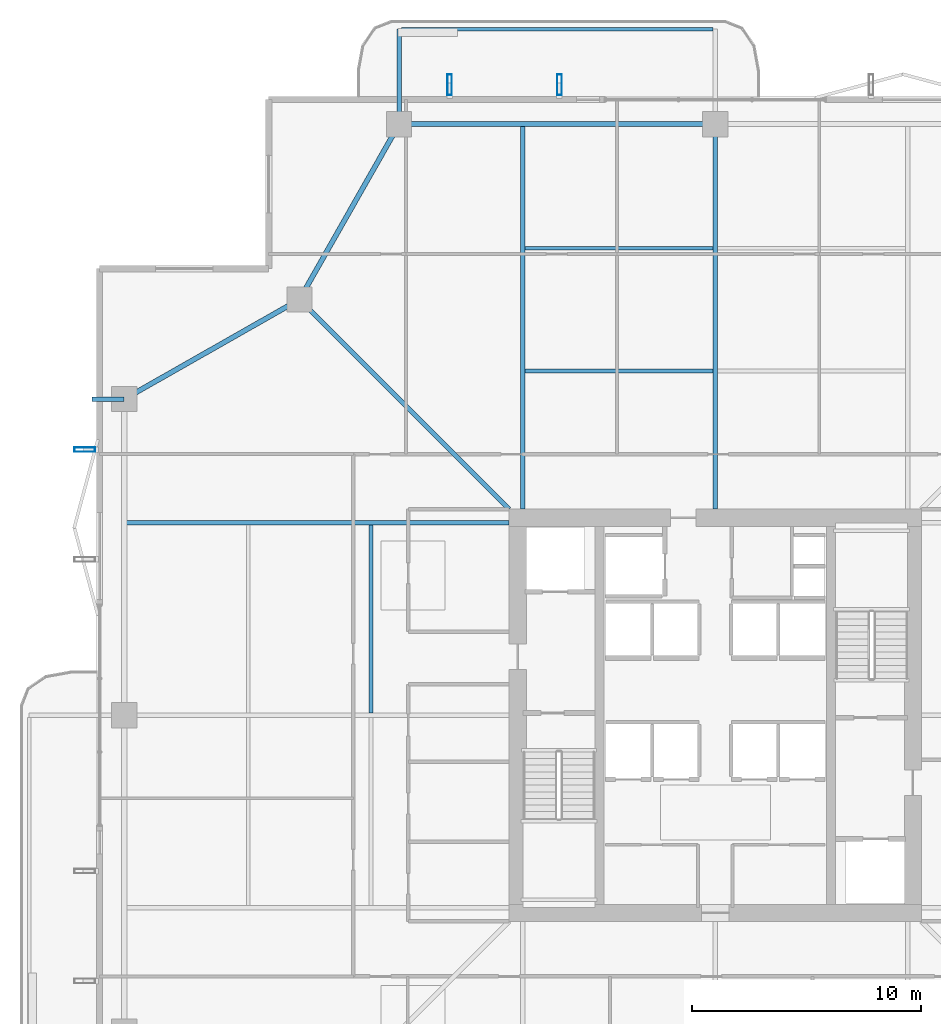
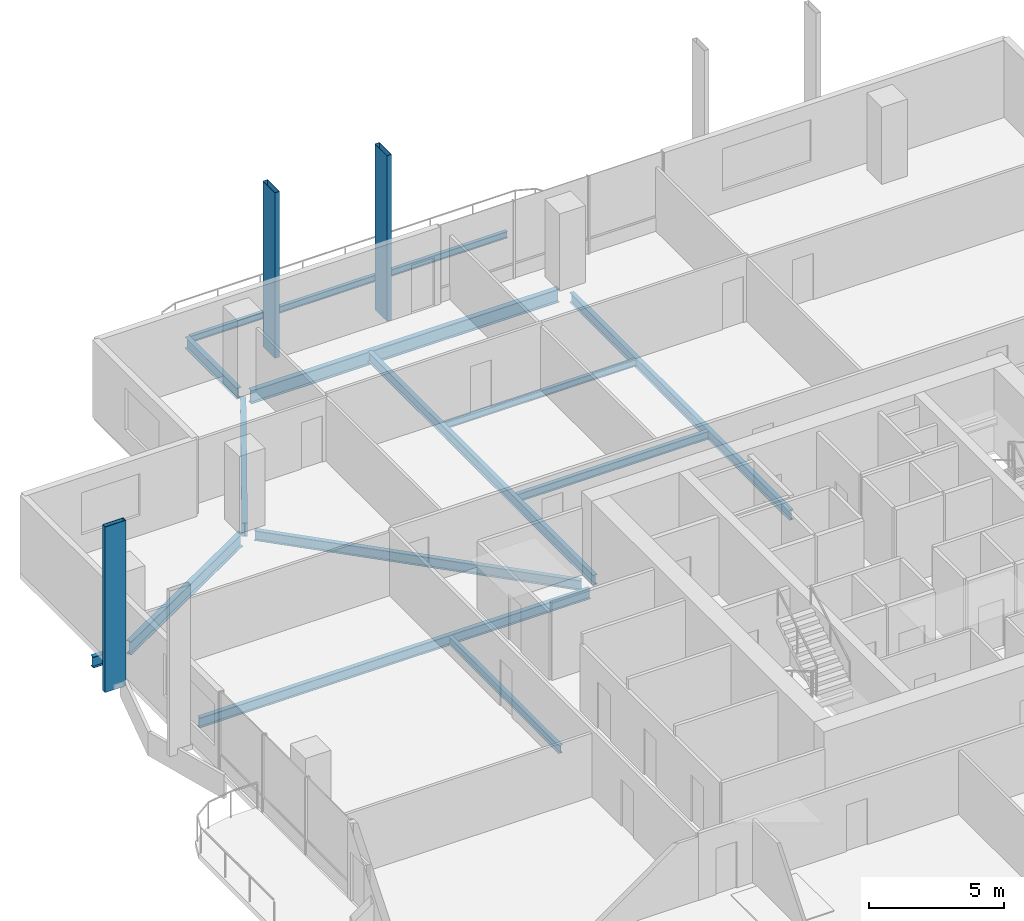
# One storey, part 10 of 24: 13 beams, 3 members.
"""IFC4 building model written with IfcOpenShell, lengths in metres."""

from ifc_helpers import new_model, si_unit, direction, frame, origin, origin_2d, place, context, subcontext, project, spatial, hollow_rectangle, i_section, extrude, material, material_profile, profile_set, type_object, element, save


model = new_model("IFC4")

# Units and contexts
model_context = context("Model", 3, precision=1e-05, world=origin(), true_north=direction((0.0, 1.0)))
body_context = subcontext(model_context, "Body", "Model", "MODEL_VIEW")
ifc_project = project(units=[si_unit("LENGTHUNIT", "METRE"), si_unit("AREAUNIT", "SQUARE_METRE"), si_unit("VOLUMEUNIT", "CUBIC_METRE"), si_unit("PLANEANGLEUNIT", "RADIAN"), si_unit("MASSUNIT", "GRAM", prefix="KILO")], contexts=[model_context])

# Site, building, storey
site_placement = place(None, origin())
site = spatial("IfcSite", under=ifc_project, at=site_placement, CompositionType="ELEMENT")
building_placement = place(site_placement, origin())
building = spatial("IfcBuilding", under=site, at=building_placement, Name="Belovzor Exchange Tower", CompositionType="ELEMENT")
storey_placement = place(building_placement, frame((0.0, 0.0, 203.699951171875)))
storey = spatial("IfcBuildingStorey", under=building, at=storey_placement, Name="L50", CompositionType="ELEMENT", Elevation=203.699951171875)

# Beams
ifc_material_1 = material(Name="Steel S355", Category="steel")
ifc_material_profile_1 = material_profile(ifc_material_1, i_section(OverallWidth=0.199951171875, OverallDepth=0.5, WebThickness=0.01025390625, FlangeThickness=0.01611328125, at=origin_2d()))
ifc_profile_set_1 = profile_set([ifc_material_profile_1], Name="Steel S355")
beam_type_1 = type_object("IfcBeamType", Name="Planted Balcony Cantilever Beam IPE 500", PredefinedType="BEAM", material=ifc_profile_set_1)
beam_1_placement = place(storey_placement, frame((15.0, 54.903076171875, -0.5), z_axis=(0.0, 1.0, 0.0), x_axis=(-1.0, 0.0, 0.0)))
element("IfcBeam", 1, at=beam_1_placement, inside=storey, type_object=beam_type_1, Name="BC-500 Planted Balcony Cantilever Beam IPE 500", PredefinedType="BEAM", context=body_context, shape_type="SweptSolid", body=[
    extrude(i_section(OverallWidth=0.199951171875, OverallDepth=0.5, WebThickness=0.01025390625, FlangeThickness=0.01611328125, at=origin_2d()), origin(), (0.0, 0.0, 1.0), 3.849853515625),
])
beam_2_placement = place(storey_placement, frame((3.0, 42.60009765625, -0.5), z_axis=(-1.0, 0.0, 0.0), x_axis=(0.0, -1.0, 0.0)))
element("IfcBeam", 2, at=beam_2_placement, inside=storey, type_object=beam_type_1, Name="BC-500 Planted Balcony Cantilever Beam IPE 500", PredefinedType="BEAM", context=body_context, shape_type="SweptSolid", body=[
    extrude(i_section(OverallWidth=0.199951171875, OverallDepth=0.5, WebThickness=0.01025390625, FlangeThickness=0.01611328125, at=origin_2d()), origin(), (0.0, 0.0, 1.0), 1.39990234375),
])
ifc_material_2 = material(Name="Steel S355", Category="steel")
ifc_material_profile_2 = material_profile(ifc_material_2, i_section(OverallWidth=0.14990234375, OverallDepth=0.300048828125, WebThickness=0.007080078125, FlangeThickness=0.0107421875, at=origin_2d()))
ifc_profile_set_2 = profile_set([ifc_material_profile_2], Name="Steel S355")
beam_type_2 = type_object("IfcBeamType", Name="Planted Balcony Fascia Edge Beam IPE 300", PredefinedType="BEAM", material=ifc_profile_set_2)
beam_3_placement = place(storey_placement, frame((28.699951171875, 58.7529296875, -0.39990234375), z_axis=(-1.0, 0.0, 0.0), x_axis=(0.0, -1.0, 0.0)))
element("IfcBeam", 3, at=beam_3_placement, inside=storey, type_object=beam_type_2, Name="BC-300 Planted Balcony Fascia Edge Beam IPE 300", PredefinedType="BEAM", context=body_context, shape_type="SweptSolid", body=[
    extrude(i_section(OverallWidth=0.14990234375, OverallDepth=0.300048828125, WebThickness=0.007080078125, FlangeThickness=0.0107421875, at=origin_2d()), origin(), (0.0, 0.0, 1.0), 13.599853515625),
])
ifc_material_3 = material(Name="Steel S355", Category="steel")
ifc_material_profile_3 = material_profile(ifc_material_3, i_section(OverallWidth=0.169921875, OverallDepth=0.360107421875, WebThickness=0.008056640625, FlangeThickness=0.0126953125, at=origin_2d()))
ifc_profile_set_3 = profile_set([ifc_material_profile_3], Name="Steel S355")
beam_type_3 = type_object("IfcBeamType", Name="Secondary Infill Floor Joist IPE 360", PredefinedType="BEAM", material=ifc_profile_set_3)
for number, where, z_axis, x_axis, name in (
    (4, (20.4951171875, 43.827880859375, -0.429931640625), (1.0, 0.0, 0.0), (0.0, 1.0, 0.0), "FJ-360 Secondary Infill Floor Joist IPE 360"),
    (5, (13.77197265625, 28.89501953125, -0.429931640625), (0.0, 1.0, 0.0), (-1.0, 0.0, 0.0), "FJ-360 Secondary Infill Floor Joist IPE 360"),
):
    element("IfcBeam", number, at=place(storey_placement, frame(where, z_axis=z_axis, x_axis=x_axis)), inside=storey, type_object=beam_type_3, Name=name, PredefinedType="BEAM", context=body_context, shape_type="SweptSolid", body=[
        extrude(i_section(OverallWidth=0.169921875, OverallDepth=0.360107421875, WebThickness=0.008056640625, FlangeThickness=0.0126953125, at=origin_2d()), origin(), (0.0, 0.0, 1.0), 8.2099609375),
    ])
ifc_material_4 = material(Name="Steel S355", Category="steel")
ifc_material_profile_4 = material_profile(ifc_material_4, i_section(OverallWidth=0.14990234375, OverallDepth=0.300048828125, WebThickness=0.007080078125, FlangeThickness=0.0107421875, at=origin_2d()))
ifc_profile_set_4 = profile_set([ifc_material_profile_4], Name="Steel S355")
beam_type_4 = type_object("IfcBeamType", Name="Secondary Trim Floor Joist IPE 300", PredefinedType="BEAM", material=ifc_profile_set_4)
beam_4_placement = place(storey_placement, frame((20.4951171875, 49.18701171875, -0.39990234375), z_axis=(1.0, 0.0, 0.0), x_axis=(0.0, 1.0, 0.0)))
element("IfcBeam", 6, at=beam_4_placement, inside=storey, type_object=beam_type_4, Name="FJ-300 Secondary Trim Floor Joist IPE 300", PredefinedType="BEAM", context=body_context, shape_type="SweptSolid", body=[
    extrude(i_section(OverallWidth=0.14990234375, OverallDepth=0.300048828125, WebThickness=0.007080078125, FlangeThickness=0.0107421875, at=origin_2d()), origin(), (0.0, 0.0, 1.0), 8.2099609375),
])

# Members
ifc_material_5 = material(Name="Extruded Architectural Terracotta on Steel S355 Carrier", Category="masonry")
ifc_material_profile_5 = material_profile(ifc_material_5, hollow_rectangle(XDim=0.199951171875, YDim=0.89990234375, WallThickness=0.011962890625, at=origin_2d()))
ifc_profile_set_5 = profile_set([ifc_material_profile_5], Name="Extruded Architectural Terracotta on Steel S355 Carrier")
member_type = type_object("IfcMemberType", Name="Sweeping Terracotta Baguette Fin Assembly 950", PredefinedType="USERDEFINED", material=ifc_profile_set_5)
for number, where, z_axis, x_axis, name in (
    (7, (17.199951171875, 56.324951171875, -0.25), (0.0, 0.0, 1.0), (1.0, 0.0, 0.0), "FIN-TC095 Terracotta Facade Fin L50 N1"),
    (8, (22.0, 56.324951171875, -0.25), (0.0, 0.0, 1.0), (1.0, 0.0, 0.0), "FIN-TC095 Terracotta Facade Fin L50 N2"),
    (9, (1.27490234375, 40.39990234375, -0.25), (0.0, 0.0, 1.0), (0.0, 1.0, 0.0), "FIN-TC095 Terracotta Facade Fin L50 W4"),
):
    element("IfcMember", number, at=place(storey_placement, frame(where, z_axis=z_axis, x_axis=x_axis)), inside=storey, type_object=member_type, Name=name, ObjectType="FIN", PredefinedType="USERDEFINED", context=body_context, shape_type="SweptSolid", body=[
        extrude(hollow_rectangle(XDim=0.199951171875, YDim=0.89990234375, WallThickness=0.011962890625, at=origin_2d()), origin(), (0.0, 0.0, 1.0), 7.5),
    ])

# Beams
ifc_material_6 = material(Name="Steel S355", Category="steel")
ifc_material_profile_6 = material_profile(ifc_material_6, i_section(OverallWidth=0.18994140625, OverallDepth=0.449951171875, WebThickness=0.009521484375, FlangeThickness=0.0146484375, at=origin_2d()))
ifc_profile_set_6 = profile_set([ifc_material_profile_6], Name="Steel S355")
beam_type_5 = type_object("IfcBeamType", Name="Zone 2-4 Radial Composite Floor Beam IPE 450", PredefinedType="BEAM", material=ifc_profile_set_6)
beam_5_placement = place(storey_placement, frame((20.39990234375, 37.800048828125, -0.474853515625), z_axis=(0.0, 1.0, 0.0), x_axis=(-1.0, 0.0, 0.0)))
element("IfcBeam", 10, at=beam_5_placement, inside=storey, type_object=beam_type_5, Name="FB-450 Zone 2-4 Radial Composite Floor Beam IPE 450", PredefinedType="BEAM", context=body_context, shape_type="SweptSolid", body=[
    extrude(i_section(OverallWidth=0.18994140625, OverallDepth=0.449951171875, WebThickness=0.009521484375, FlangeThickness=0.0146484375, at=origin_2d()), origin(), (0.0, 0.0, 1.0), 16.744873046875),
])
beam_6_placement = place(storey_placement, frame((28.800048828125, 37.800048828125, -0.474853515625), z_axis=(0.0, 1.0, 0.0), x_axis=(-1.0, 0.0, 0.0)))
element("IfcBeam", 11, at=beam_6_placement, inside=storey, type_object=beam_type_5, Name="FB-450 Zone 2-4 Radial Composite Floor Beam IPE 450", PredefinedType="BEAM", context=body_context, shape_type="SweptSolid", body=[
    extrude(i_section(OverallWidth=0.18994140625, OverallDepth=0.449951171875, WebThickness=0.009521484375, FlangeThickness=0.0146484375, at=origin_2d()), origin(), (0.0, 0.0, 1.0), 16.31591796875),
])
beam_7_placement = place(storey_placement, frame((19.800048828125, 37.199951171875, -0.474853515625), z_axis=(-1.0, 0.0, 0.0), x_axis=(0.0, -1.0, 0.0)))
element("IfcBeam", 12, at=beam_7_placement, inside=storey, type_object=beam_type_5, Name="FB-450 Zone 2-4 Radial Composite Floor Beam IPE 450", PredefinedType="BEAM", context=body_context, shape_type="SweptSolid", body=[
    extrude(i_section(OverallWidth=0.18994140625, OverallDepth=0.449951171875, WebThickness=0.009521484375, FlangeThickness=0.0146484375, at=origin_2d()), origin(), (0.0, 0.0, 1.0), 16.7451171875),
])
beam_8_placement = place(storey_placement, frame((19.800048828125, 37.800048828125, -0.474853515625), z_axis=(-0.707106781187, 0.707106781187, 0.0), x_axis=(-0.707106781187, -0.707106781187, 0.0)))
element("IfcBeam", 13, at=beam_8_placement, inside=storey, type_object=beam_type_5, Name="FB-450 Zone 2-4 Radial Composite Floor Beam IPE 450", PredefinedType="BEAM", context=body_context, shape_type="SweptSolid", body=[
    extrude(i_section(OverallWidth=0.18994140625, OverallDepth=0.449951171875, WebThickness=0.009521484375, FlangeThickness=0.0146484375, at=origin_2d()), origin(), (0.0, 0.0, 1.0), 12.551025390625),
])
ifc_material_7 = material(Name="Steel S355", Category="steel")
ifc_material_profile_7 = material_profile(ifc_material_7, i_section(OverallWidth=0.219970703125, OverallDepth=0.60009765625, WebThickness=0.011962890625, FlangeThickness=0.01904296875, at=origin_2d()))
ifc_profile_set_7 = profile_set([ifc_material_profile_7], Name="Steel S355")
beam_type_6 = type_object("IfcBeamType", Name="Zone 4 Flare Primary Girder IPE 600", PredefinedType="BEAM", material=ifc_profile_set_7)
beam_9_placement = place(storey_placement, frame((28.498046875, 54.60009765625, -0.550048828125), z_axis=(-1.0, 0.0, 0.0), x_axis=(0.0, -1.0, 0.0)))
element("IfcBeam", 14, at=beam_9_placement, inside=storey, type_object=beam_type_6, Name="FG-Z4 Zone 4 Flare Primary Girder IPE 600", PredefinedType="BEAM", context=body_context, shape_type="SweptSolid", body=[
    extrude(i_section(OverallWidth=0.219970703125, OverallDepth=0.60009765625, WebThickness=0.011962890625, FlangeThickness=0.01904296875, at=origin_2d()), origin(), (0.0, 0.0, 1.0), 13.195068359375),
])
for number, where, z_axis, x_axis, name in (
    (15, (14.85009765625, 54.3369140625, -0.550048828125), (-0.494222323641, -0.869335547884, 0.0), (0.869335547884, -0.494222323641, 0.0), "FG-Z4 Zone 4 Flare Primary Girder IPE 600"),
    (16, (10.386962890625, 46.800048828125, -0.550048828125), (-0.869335547884, -0.494222323641, 0.0), (0.494222323641, -0.869335547884, 0.0), "FG-Z4 Zone 4 Flare Primary Girder IPE 600"),
):
    element("IfcBeam", number, at=place(storey_placement, frame(where, z_axis=z_axis, x_axis=x_axis)), inside=storey, type_object=beam_type_6, Name=name, PredefinedType="BEAM", context=body_context, shape_type="SweptSolid", body=[
        extrude(i_section(OverallWidth=0.219970703125, OverallDepth=0.60009765625, WebThickness=0.011962890625, FlangeThickness=0.01904296875, at=origin_2d()), origin(), (0.0, 0.0, 1.0), 8.19482421875),
    ])

save(model, "model.ifc")
